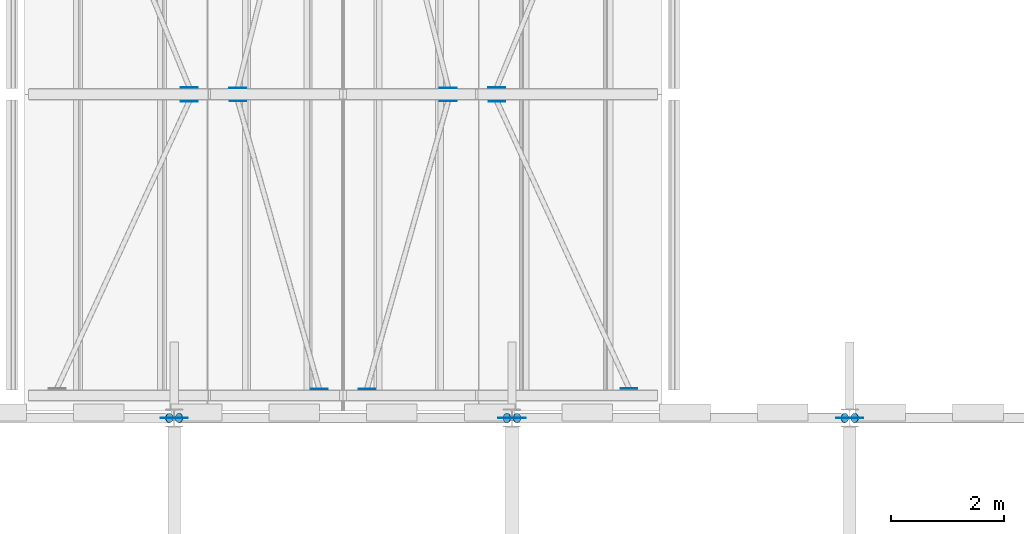
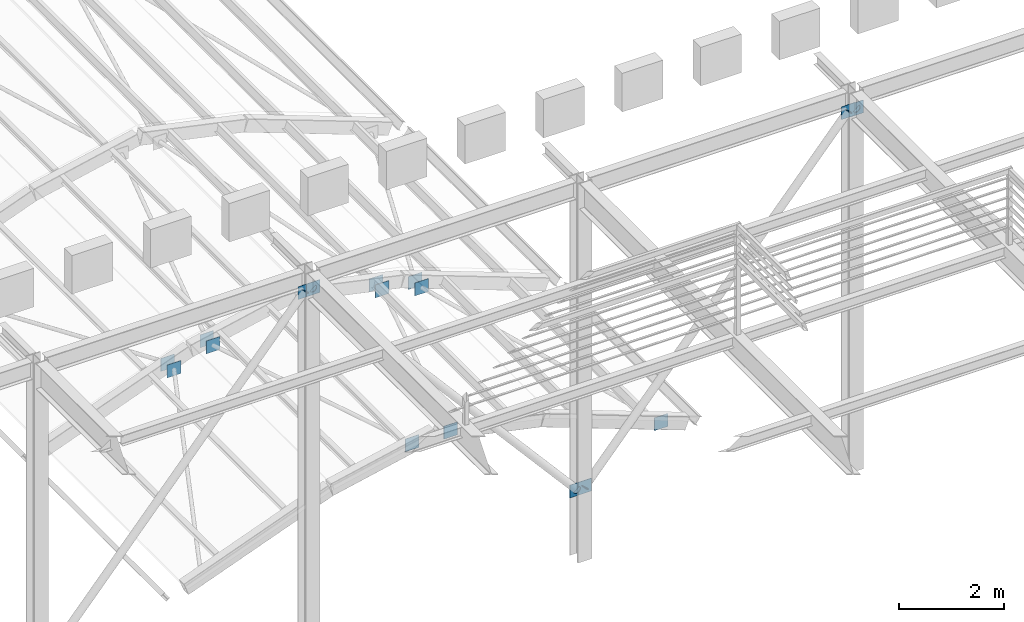
# One storey, part 49 of 57: 23 discrete accessories.
"""IFC4 building model written with IfcOpenShell, lengths in metres."""

from ifc_helpers import new_model, si_unit, direction, frame, origin, origin_2d, place, context, subcontext, project, spatial, rectangle, circle, extrude, material, material_profile, profile_set, type_object, element, save


model = new_model("IFC4")

# Units and contexts
model_context = context("Model", 3, precision=1e-05, world=origin(), true_north=direction((0.0, 1.0)))
body_context = subcontext(model_context, "Body", "Model", "MODEL_VIEW")
ifc_project = project(units=[si_unit("LENGTHUNIT", "METRE"), si_unit("AREAUNIT", "SQUARE_METRE"), si_unit("VOLUMEUNIT", "CUBIC_METRE"), si_unit("PLANEANGLEUNIT", "RADIAN"), si_unit("MASSUNIT", "GRAM", prefix="KILO")], contexts=[model_context])

# Site, building, storey
site_placement = place(None, origin())
site = spatial("IfcSite", under=ifc_project, at=site_placement, CompositionType="ELEMENT")
building_placement = place(site_placement, origin())
building = spatial("IfcBuilding", under=site, at=building_placement, Name="Saffron Lane Theatres", CompositionType="ELEMENT")
storey_placement = place(building_placement, frame((0.0, 0.0, 28.0)))
storey = spatial("IfcBuildingStorey", under=building, at=storey_placement, Name="Upper Roof", CompositionType="ELEMENT", Elevation=28.0)

# Discrete accessories
ifc_material_1 = material(Name="Steel Grade 350", Category="steel")
ifc_material_profile_1 = material_profile(ifc_material_1, rectangle(XDim=0.300048828125, YDim=0.300048828125, at=origin_2d()))
ifc_profile_set_1 = profile_set([ifc_material_profile_1], Name="Steel Grade 350")
discrete_accessory_type_1 = type_object("IfcDiscreteAccessoryType", Name="ST-GUSSET CONNECTION PLATE", PredefinedType="BRACKET", material=ifc_profile_set_1)
for number, where, z_axis, x_axis, name in (
    (1, (30.265625, 59.88037109375, 2.973876953125), (0.0, -1.0, 0.0), (1.0, 0.0, 0.0), "GB6"),
    (2, (31.13330078125, 59.8876953125, 3.227783203125), (0.0, -1.0, 0.0), (1.0, 0.0, 0.0), "GB7"),
):
    element("IfcDiscreteAccessory", number, at=place(storey_placement, frame(where, z_axis=z_axis, x_axis=x_axis)), inside=storey, type_object=discrete_accessory_type_1, Name=name, PredefinedType="BRACKET", context=body_context, shape_type="SweptSolid", body=[
        extrude(rectangle(XDim=0.300048828125, YDim=0.300048828125, at=origin_2d()), origin(), (0.0, 0.0, 1.0), 0.010009765625),
    ])
for number, where, z_axis, x_axis, name in (
    (3, (32.57470703125, 54.762451171875, 3.53662109375), (0.0, 1.0, 0.0), (-1.0, 0.0, 0.0), "GB8"),
    (4, (33.42529296875, 54.762451171875, 3.53662109375), (0.0, 1.0, 0.0), (-1.0, 0.0, 0.0), "GB9"),
):
    element("IfcDiscreteAccessory", number, at=place(storey_placement, frame(where, z_axis=z_axis, x_axis=x_axis)), inside=storey, type_object=discrete_accessory_type_1, Name=name, PredefinedType="BRACKET", context=body_context, shape_type="SweptSolid", body=[
        extrude(rectangle(XDim=0.300048828125, YDim=0.300048828125, at=origin_2d()), origin(), (0.0, 0.0, 1.0), 0.009765625),
    ])
for number, where, z_axis, x_axis, name in (
    (5, (34.86669921875, 59.8876953125, 3.227783203125), (0.0, -1.0, 0.0), (1.0, 0.0, 0.0), "GB10"),
    (6, (35.734375, 59.88037109375, 2.973876953125), (0.0, -1.0, 0.0), (1.0, 0.0, 0.0), "GB11"),
    (7, (38.07958984375, 54.76953125, 2.0986328125), (0.0, 1.0, 0.0), (-1.0, 0.0, 0.0), "GB12"),
    (8, (30.267822265625, 60.11767578125, 2.974853515625), (0.0, 1.0, 0.0), (-1.0, 0.0, 0.0), "GB22"),
    (9, (31.132080078125, 60.111083984375, 3.2275390625), (0.0, 1.0, 0.0), (-1.0, 0.0, 0.0), "GB23"),
    (10, (34.867919921875, 60.111083984375, 3.2275390625), (0.0, 1.0, 0.0), (-1.0, 0.0, 0.0), "GB26"),
    (11, (35.732177734375, 60.11767578125, 2.974853515625), (0.0, 1.0, 0.0), (-1.0, 0.0, 0.0), "GB27"),
):
    element("IfcDiscreteAccessory", number, at=place(storey_placement, frame(where, z_axis=z_axis, x_axis=x_axis)), inside=storey, type_object=discrete_accessory_type_1, Name=name, PredefinedType="BRACKET", context=body_context, shape_type="SweptSolid", body=[
        extrude(rectangle(XDim=0.300048828125, YDim=0.300048828125, at=origin_2d()), origin(), (0.0, 0.0, 1.0), 0.010009765625),
    ])
for number, where, z_axis, x_axis, name in (
    (12, (29.908447265625, 54.2451171875, 8.338134765625), (0.0, 1.0, 0.0), (-1.0, 0.0, 0.0), "GB124"),
    (13, (35.908447265625, 54.2451171875, 1.60595703125), (0.0, 1.0, 0.0), (-1.0, 0.0, 0.0), "GB127"),
    (14, (30.091552734375, 54.2451171875, 8.338134765625), (0.0, 1.0, 0.0), (-1.0, 0.0, 0.0), "GB128"),
    (15, (36.091552734375, 54.2451171875, 1.60595703125), (0.0, 1.0, 0.0), (-1.0, 0.0, 0.0), "GB131"),
    (16, (41.908447265625, 54.2451171875, 8.338134765625), (0.0, 1.0, 0.0), (-1.0, 0.0, 0.0), "GB132"),
    (17, (42.0927734375, 54.2451171875, 8.33203125), (0.0, 1.0, 0.0), (-1.0, 0.0, 0.0), "GB136"),
):
    element("IfcDiscreteAccessory", number, at=place(storey_placement, frame(where, z_axis=z_axis, x_axis=x_axis)), inside=storey, type_object=discrete_accessory_type_1, Name=name, PredefinedType="BRACKET", context=body_context, shape_type="SweptSolid", body=[
        extrude(rectangle(XDim=0.300048828125, YDim=0.300048828125, at=origin_2d()), origin(), (0.0, 0.0, 1.0), 0.009765625),
    ])
ifc_material_2 = material(Name="Steel Grade 350", Category="steel")
ifc_material_profile_2 = material_profile(ifc_material_2, circle(Radius=0.084228515625, at=origin_2d()))
ifc_profile_set_2 = profile_set([ifc_material_profile_2], Name="Steel Grade 350")
discrete_accessory_type_2 = type_object("IfcDiscreteAccessoryType", Name="ST-STEEL END CAP 168.3x6.4 CHS", PredefinedType="ANCHORPLATE", material=ifc_profile_set_2)
for number, where, z_axis, x_axis, name in (
    (18, (29.908447265625, 54.25, 8.338134765625), (0.654151932932, 0.0, 0.756363172452), (0.0, 1.0, 0.0), "EC70"),
    (19, (35.916259765625, 54.25, 1.596923828125), (-0.654151932932, 0.0, 0.756363172452), (0.0, -1.0, 0.0), "EC73"),
    (20, (30.091552734375, 54.25, 8.338134765625), (-0.654151932932, 0.0, 0.756363172452), (0.0, -1.0, 0.0), "EC74"),
    (21, (36.083740234375, 54.25, 1.596923828125), (0.654151932932, 0.0, 0.756363172452), (0.0, 1.0, 0.0), "EC77"),
    (22, (41.908447265625, 54.25, 8.338134765625), (0.654151932932, 0.0, 0.756363172452), (0.0, 1.0, 0.0), "EC78"),
):
    element("IfcDiscreteAccessory", number, at=place(storey_placement, frame(where, z_axis=z_axis, x_axis=x_axis)), inside=storey, type_object=discrete_accessory_type_2, Name=name, PredefinedType="ANCHORPLATE", context=body_context, shape_type="SweptSolid", body=[
        extrude(circle(Radius=0.084228515625, at=origin_2d()), origin(), (0.0, 0.0, 1.0), 0.011962890625),
    ])
discrete_accessory_placement = place(storey_placement, frame((42.0927734375, 54.25, 8.33203125), z_axis=(-0.644135745783, 0.0, 0.764911198117), x_axis=(0.0, -1.0, 0.0)))
element("IfcDiscreteAccessory", 23, at=discrete_accessory_placement, inside=storey, type_object=discrete_accessory_type_2, Name="EC82", PredefinedType="ANCHORPLATE", context=body_context, shape_type="SweptSolid", body=[
    extrude(circle(Radius=0.084228515625, at=origin_2d()), origin(), (0.0, 0.0, 1.0), 0.01220703125),
])

save(model, "model.ifc")
